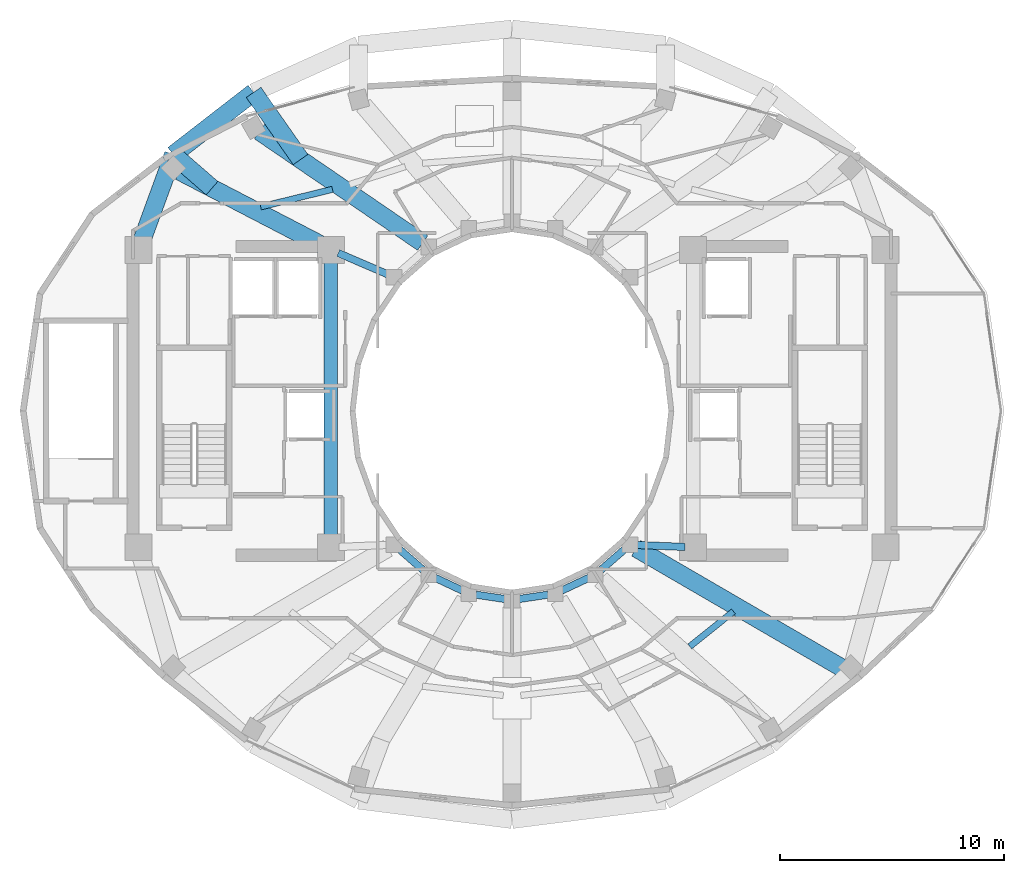
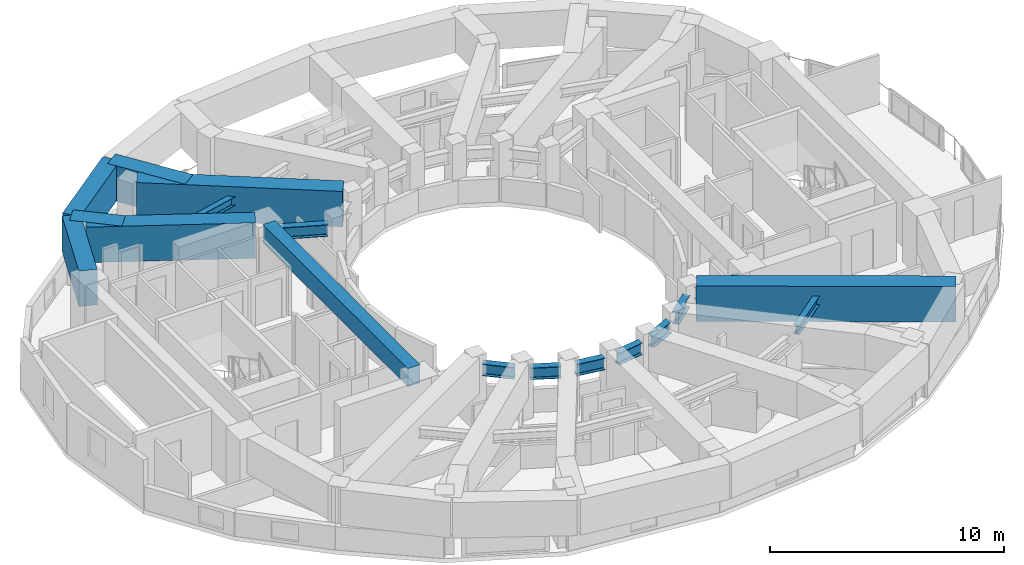
# One storey, part 5 of 20: 18 beams.
"""IFC4 building model written with IfcOpenShell, lengths in metres."""

from ifc_helpers import new_model, si_unit, direction, frame, origin, origin_2d, place, context, subcontext, project, spatial, rectangle, i_section, extrude, material, material_profile, profile_set, type_object, element, save


model = new_model("IFC4")

# Units and contexts
model_context = context("Model", 3, precision=1e-05, world=origin(), true_north=direction((0.0, 1.0)))
body_context = subcontext(model_context, "Body", "Model", "MODEL_VIEW")
ifc_project = project(units=[si_unit("LENGTHUNIT", "METRE"), si_unit("AREAUNIT", "SQUARE_METRE"), si_unit("VOLUMEUNIT", "CUBIC_METRE"), si_unit("PLANEANGLEUNIT", "RADIAN"), si_unit("MASSUNIT", "GRAM", prefix="KILO")], contexts=[model_context])

# Site, building, storey
site_placement = place(None, origin())
site = spatial("IfcSite", under=ifc_project, at=site_placement, CompositionType="ELEMENT")
building_placement = place(site_placement, origin())
building = spatial("IfcBuilding", under=site, at=building_placement, Name="Solvane Sanctuary Tower", CompositionType="ELEMENT")
storey_placement = place(building_placement, frame((0.0, 0.0, 217.10009765625)))
storey = spatial("IfcBuildingStorey", under=building, at=storey_placement, Name="L66", CompositionType="ELEMENT", Elevation=217.10009765625)

# Beams
ifc_material_1 = material(Name="Concrete C70/85", Category="concrete")
ifc_material_profile_1 = material_profile(ifc_material_1, rectangle(XDim=0.60009765625, YDim=0.949951171875, at=origin_2d()), Name="RC600X950")
ifc_profile_set_1 = profile_set([ifc_material_profile_1], Name="Concrete C70/85")
beam_type_1 = type_object("IfcBeamType", Name="Beam B-COUPLE RC600X950", PredefinedType="LINTEL", material=ifc_profile_set_1)
beam_1_placement = place(storey_placement, frame((23.89990234375, 17.35009765625, 2.625), z_axis=(0.0, 1.0, 0.0), x_axis=(-1.0, 0.0, 0.0)))
element("IfcBeam", 1, at=beam_1_placement, inside=storey, type_object=beam_type_1, Name="L66 West Core Coupling Lintel", PredefinedType="LINTEL", context=body_context, shape_type="SweptSolid", body=[
    extrude(rectangle(XDim=0.60009765625, YDim=0.949951171875, at=origin_2d()), origin(), (0.0, 0.0, 1.0), 12.39990234375),
])
ifc_material_2 = material(Name="Steel ASTM A992 Grade 50", Category="steel")
ifc_material_profile_2 = material_profile(ifc_material_2, i_section(OverallWidth=0.324951171875, OverallDepth=0.615966796875, WebThickness=0.013916015625, FlangeThickness=0.021484375, FilletRadius=0.01611328125, at=origin_2d()), Name="W24X117")
ifc_profile_set_2 = profile_set([ifc_material_profile_2], Name="Steel ASTM A992 Grade 50")
beam_type_2 = type_object("IfcBeamType", Name="Beam B-RING-IN2 W24X117", PredefinedType="BEAM", material=ifc_profile_set_2)
beam_2_placement = place(storey_placement, frame((24.230712890625, 30.0576171875, 2.289794921875), z_axis=(0.918283854026, -0.395922673554, 0.0), x_axis=(0.395922673554, 0.918283854026, 0.0)))
element("IfcBeam", 2, at=beam_2_placement, inside=storey, type_object=beam_type_2, Name="L66 Inner Light-Well Ring Beam CW3-IC07", PredefinedType="BEAM", context=body_context, shape_type="SweptSolid", body=[
    extrude(i_section(OverallWidth=0.324951171875, OverallDepth=0.615966796875, WebThickness=0.013916015625, FlangeThickness=0.021484375, FilletRadius=0.01611328125, at=origin_2d()), origin(), (0.0, 0.0, 1.0), 2.396240234375),
])
beam_3_placement = place(storey_placement, frame((26.96630859375, 16.807861328125, 2.289794921875), z_axis=(0.754388985763, -0.656427648839, 0.0), x_axis=(0.656427648839, 0.754388985763, 0.0)))
element("IfcBeam", 3, at=beam_3_placement, inside=storey, type_object=beam_type_2, Name="L66 Inner Light-Well Ring Beam IC08-IC09", PredefinedType="BEAM", context=body_context, shape_type="SweptSolid", body=[
    extrude(i_section(OverallWidth=0.324951171875, OverallDepth=0.615966796875, WebThickness=0.013916015625, FlangeThickness=0.021484375, FilletRadius=0.01611328125, at=origin_2d()), origin(), (0.0, 0.0, 1.0), 1.408203125),
])
beam_4_placement = place(storey_placement, frame((28.5595703125, 15.537353515625, 2.289794921875), z_axis=(0.905134542189, -0.425125229241, 0.0), x_axis=(0.425125229241, 0.905134542189, 0.0)))
element("IfcBeam", 4, at=beam_4_placement, inside=storey, type_object=beam_type_2, Name="L66 Inner Light-Well Ring Beam IC09-IC10", PredefinedType="BEAM", context=body_context, shape_type="SweptSolid", body=[
    extrude(i_section(OverallWidth=0.324951171875, OverallDepth=0.615966796875, WebThickness=0.013916015625, FlangeThickness=0.021484375, FilletRadius=0.01611328125, at=origin_2d()), origin(), (0.0, 0.0, 1.0), 1.347900390625),
])
for number, where, z_axis, x_axis, name in (
    (5, (30.3857421875, 14.781005859375, 2.289794921875), (0.989056121481, -0.147539786368, 0.0), (0.147539786368, 0.989056121481, 0.0), "L66 Inner Light-Well Ring Beam IC10-IC11"),
    (6, (32.31640625, 14.58740234375, 2.289794921875), (0.989056121481, 0.147539786368, 0.0), (-0.147539786368, 0.989056121481, 0.0), "L66 Inner Light-Well Ring Beam IC11-IC12"),
):
    element("IfcBeam", number, at=place(storey_placement, frame(where, z_axis=z_axis, x_axis=x_axis)), inside=storey, type_object=beam_type_2, Name=name, PredefinedType="BEAM", context=body_context, shape_type="SweptSolid", body=[
        extrude(i_section(OverallWidth=0.324951171875, OverallDepth=0.615966796875, WebThickness=0.013916015625, FlangeThickness=0.021484375, FilletRadius=0.01611328125, at=origin_2d()), origin(), (0.0, 0.0, 1.0), 1.312255859375),
    ])
beam_5_placement = place(storey_placement, frame((34.220458984375, 14.96435546875, 2.289794921875), z_axis=(0.905134542189, 0.425125229241, 0.0), x_axis=(-0.425125229241, 0.905134542189, 0.0)))
element("IfcBeam", 7, at=beam_5_placement, inside=storey, type_object=beam_type_2, Name="L66 Inner Light-Well Ring Beam IC12-IC13", PredefinedType="BEAM", context=body_context, shape_type="SweptSolid", body=[
    extrude(i_section(OverallWidth=0.324951171875, OverallDepth=0.615966796875, WebThickness=0.013916015625, FlangeThickness=0.021484375, FilletRadius=0.01611328125, at=origin_2d()), origin(), (0.0, 0.0, 1.0), 1.347900390625),
])
beam_6_placement = place(storey_placement, frame((35.971435546875, 15.883544921875, 2.289794921875), z_axis=(0.754388985763, 0.656427648839, 0.0), x_axis=(-0.656427648839, 0.754388985763, 0.0)))
element("IfcBeam", 8, at=beam_6_placement, inside=storey, type_object=beam_type_2, Name="L66 Inner Light-Well Ring Beam IC13-IC14", PredefinedType="BEAM", context=body_context, shape_type="SweptSolid", body=[
    extrude(i_section(OverallWidth=0.324951171875, OverallDepth=0.615966796875, WebThickness=0.013916015625, FlangeThickness=0.021484375, FilletRadius=0.01611328125, at=origin_2d()), origin(), (0.0, 0.0, 1.0), 1.408203125),
])
beam_7_placement = place(storey_placement, frame((37.5947265625, 17.004638671875, 2.289794921875), z_axis=(0.999129127803, -0.041725124022, 0.0), x_axis=(0.041725124022, 0.999129127803, 0.0)))
element("IfcBeam", 9, at=beam_7_placement, inside=storey, type_object=beam_type_2, Name="L66 Inner Light-Well Ring Beam IC14-CE1", PredefinedType="BEAM", context=body_context, shape_type="SweptSolid", body=[
    extrude(i_section(OverallWidth=0.324951171875, OverallDepth=0.615966796875, WebThickness=0.013916015625, FlangeThickness=0.021484375, FilletRadius=0.01611328125, at=origin_2d()), origin(), (0.0, 0.0, 1.0), 2.1474609375),
])
ifc_material_profile_3 = material_profile(ifc_material_2, i_section(OverallWidth=0.280029296875, OverallDepth=0.462890625, WebThickness=0.0107421875, FlangeThickness=0.017333984375, FilletRadius=0.013916015625, at=origin_2d()), Name="W18X76")
ifc_profile_set_3 = profile_set([ifc_material_profile_3], Name="Steel ASTM A992 Grade 50")
beam_type_3 = type_object("IfcBeamType", Name="Beam B-SEC-JOIST W18X76", PredefinedType="JOIST", material=ifc_profile_set_3)
beam_8_placement = place(storey_placement, frame((20.76123046875, 32.1220703125, 2.366455078125), z_axis=(0.971495047049, 0.237059852274, 0.0), x_axis=(-0.237059852274, 0.971495047049, 0.0)))
element("IfcBeam", 10, at=beam_8_placement, inside=storey, type_object=beam_type_3, Name="L66 Secondary Circumferential Joist 07-06", PredefinedType="JOIST", context=body_context, shape_type="SweptSolid", body=[
    extrude(i_section(OverallWidth=0.280029296875, OverallDepth=0.462890625, WebThickness=0.0107421875, FlangeThickness=0.017333984375, FilletRadius=0.013916015625, at=origin_2d()), origin(), (0.0, 0.0, 1.0), 3.306884765625),
])
beam_9_placement = place(storey_placement, frame((39.950439453125, 12.46337890625, 2.366455078125), z_axis=(0.779649245724, 0.626216459095, 0.0), x_axis=(-0.626216459095, 0.779649245724, 0.0)))
element("IfcBeam", 11, at=beam_9_placement, inside=storey, type_object=beam_type_3, Name="L66 Secondary Circumferential Joist 13-14", PredefinedType="JOIST", context=body_context, shape_type="SweptSolid", body=[
    extrude(i_section(OverallWidth=0.280029296875, OverallDepth=0.462890625, WebThickness=0.0107421875, FlangeThickness=0.017333984375, FilletRadius=0.013916015625, at=origin_2d()), origin(), (0.0, 0.0, 1.0), 2.5029296875),
])
ifc_material_profile_4 = material_profile(ifc_material_1, rectangle(XDim=0.800048828125, YDim=1.85009765625, at=origin_2d()), Name="RC800X1850")
ifc_profile_set_4 = profile_set([ifc_material_profile_4], Name="Concrete C70/85")
beam_type_4 = type_object("IfcBeamType", Name="Beam B-XFER-BLK RC800X1850", PredefinedType="BEAM", material=ifc_profile_set_4)
beam_10_placement = place(storey_placement, frame((28.005859375, 30.507080078125, 2.1748046875), z_axis=(-0.825702118839, 0.564106382648, 0.0), x_axis=(-0.564106382648, -0.825702118839, 0.0)))
element("IfcBeam", 12, at=beam_10_placement, inside=storey, type_object=beam_type_4, Name="L66 Block-Shift Radial Transfer Girder 06A", PredefinedType="BEAM", context=body_context, shape_type="SweptSolid", body=[
    extrude(rectangle(XDim=0.800048828125, YDim=1.85009765625, at=origin_2d()), origin(), (0.0, 0.0, 1.0), 8.837158203125),
])
beam_11_placement = place(storey_placement, frame((22.543212890625, 34.239013671875, 2.1748046875), z_axis=(-0.572853840349, 0.819657536778, 0.0), x_axis=(-0.819657536778, -0.572853840349, 0.0)))
element("IfcBeam", 13, at=beam_11_placement, inside=storey, type_object=beam_type_4, Name="L66 Block-Shift Transfer Tie 06B", PredefinedType="BEAM", context=body_context, shape_type="SweptSolid", body=[
    extrude(rectangle(XDim=0.800048828125, YDim=1.85009765625, at=origin_2d()), origin(), (0.0, 0.0, 1.0), 3.6630859375),
])
beam_12_placement = place(storey_placement, frame((23.58056640625, 30.365966796875, 2.1748046875), z_axis=(-0.887542636371, 0.460725589287, 0.0), x_axis=(-0.460725589287, -0.887542636371, 0.0)))
element("IfcBeam", 14, at=beam_12_placement, inside=storey, type_object=beam_type_4, Name="L66 Block-Shift Radial Transfer Girder 07A", PredefinedType="BEAM", context=body_context, shape_type="SweptSolid", body=[
    extrude(rectangle(XDim=0.800048828125, YDim=1.85009765625, at=origin_2d()), origin(), (0.0, 0.0, 1.0), 7.257568359375),
])
beam_13_placement = place(storey_placement, frame((18.585693359375, 32.95849609375, 2.1748046875), z_axis=(-0.754992879134, 0.655732988691, 0.0), x_axis=(-0.655732988691, -0.754992879134, 0.0)))
element("IfcBeam", 15, at=beam_13_placement, inside=storey, type_object=beam_type_4, Name="L66 Block-Shift Transfer Tie 07B", PredefinedType="BEAM", context=body_context, shape_type="SweptSolid", body=[
    extrude(rectangle(XDim=0.800048828125, YDim=1.85009765625, at=origin_2d()), origin(), (0.0, 0.0, 1.0), 2.292236328125),
])
beam_14_placement = place(storey_placement, frame((37.551513671875, 16.857177734375, 2.1748046875), z_axis=(0.864487400302, -0.502654488411, 0.0), x_axis=(0.502654488411, 0.864487400302, 0.0)))
element("IfcBeam", 16, at=beam_14_placement, inside=storey, type_object=beam_type_4, Name="L66 Block-Shift Radial Transfer Girder 14A", PredefinedType="BEAM", context=body_context, shape_type="SweptSolid", body=[
    extrude(rectangle(XDim=0.800048828125, YDim=1.85009765625, at=origin_2d()), origin(), (0.0, 0.0, 1.0), 11.097412109375),
])
beam_15_placement = place(storey_placement, frame((15.42333984375, 30.5380859375, 2.1748046875), z_axis=(0.342775405393, 0.939417384051, 0.0), x_axis=(-0.939417384051, 0.342775405393, 0.0)))
element("IfcBeam", 17, at=beam_15_placement, inside=storey, type_object=beam_type_4, Name="L66 Perimeter Step Transfer Ring CW4-NTC07", PredefinedType="BEAM", context=body_context, shape_type="SweptSolid", body=[
    extrude(rectangle(XDim=0.800048828125, YDim=1.85009765625, at=origin_2d()), origin(), (0.0, 0.0, 1.0), 4.176513671875),
])
beam_16_placement = place(storey_placement, frame((16.85498046875, 34.461669921875, 2.1748046875), z_axis=(0.790664929002, 0.612249107836, 0.0), x_axis=(-0.612249107836, 0.790664929002, 0.0)))
element("IfcBeam", 18, at=beam_16_placement, inside=storey, type_object=beam_type_4, Name="L66 Perimeter Step Transfer Ring NTC07-NTC06", PredefinedType="BEAM", context=body_context, shape_type="SweptSolid", body=[
    extrude(rectangle(XDim=0.800048828125, YDim=1.85009765625, at=origin_2d()), origin(), (0.0, 0.0, 1.0), 4.540283203125),
])

save(model, "model.ifc")
